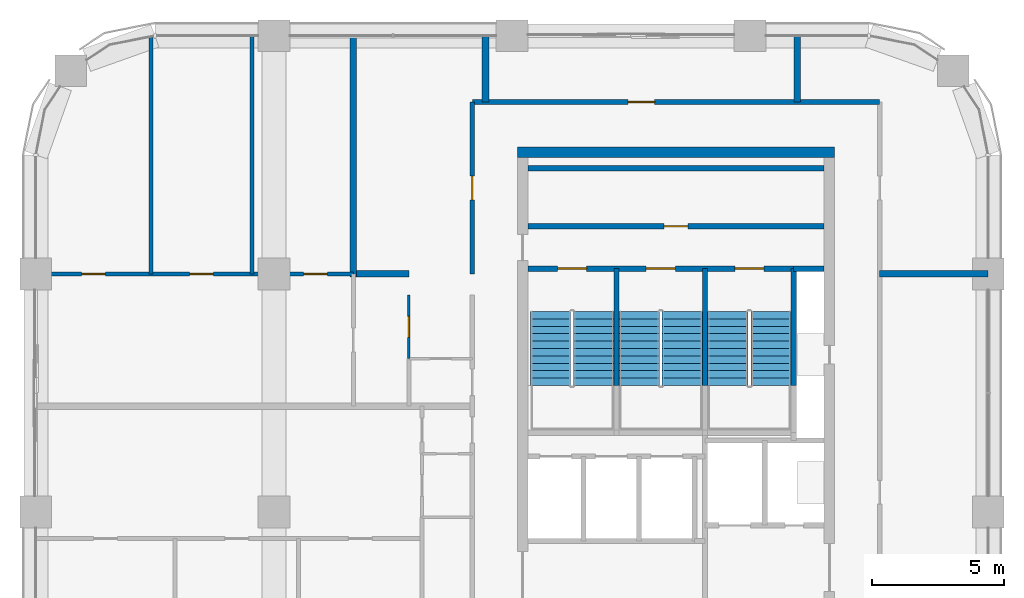
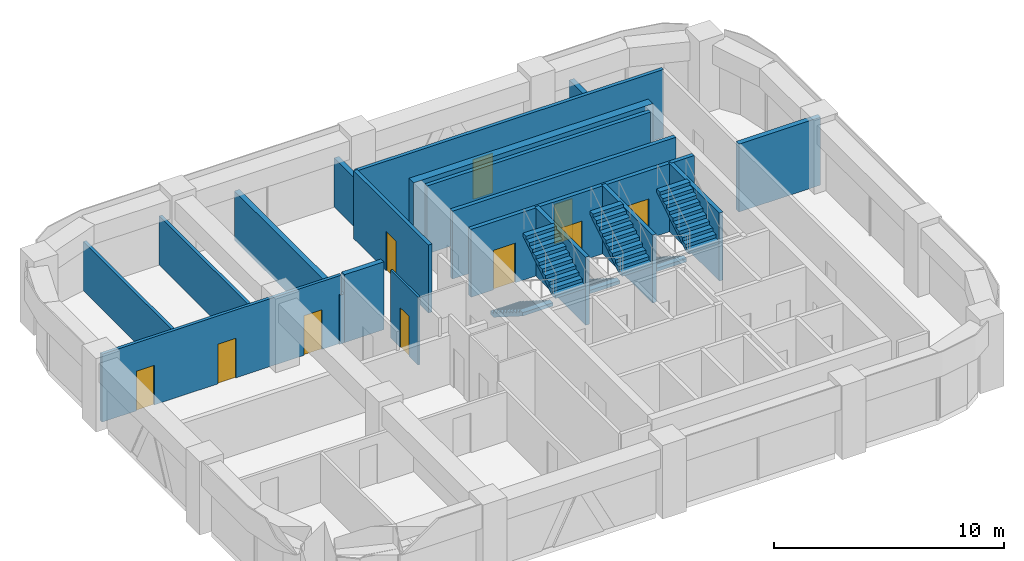
# One storey, part 9 of 10: 19 walls, 10 doors, 6 stair flights, 10 openings, 3 elements without a shape of their own.
"""IFC4 building model written with IfcOpenShell, lengths in metres."""

from ifc_helpers import new_model, si_unit, direction, frame, frame_2d, origin, place, context, subcontext, project, spatial, polyline, rectangle, outline, extrude, material, layer, layer_set, type_object, element, fill, aggregate, save


model = new_model("IFC4")

# Units and contexts
model_context = context("Model", 3, precision=1e-05, world=origin(), true_north=direction((0.0, 1.0)))
body_context = subcontext(model_context, "Body", "Model", "MODEL_VIEW")
ifc_project = project(units=[si_unit("LENGTHUNIT", "METRE"), si_unit("AREAUNIT", "SQUARE_METRE"), si_unit("VOLUMEUNIT", "CUBIC_METRE"), si_unit("PLANEANGLEUNIT", "RADIAN"), si_unit("MASSUNIT", "GRAM", prefix="KILO")], contexts=[model_context])

# Site, building, storey
site_placement = place(None, origin())
site = spatial("IfcSite", under=ifc_project, at=site_placement, CompositionType="ELEMENT")
building_placement = place(site_placement, origin())
building = spatial("IfcBuilding", under=site, at=building_placement, Name="Tessera Arch", CompositionType="ELEMENT")
storey_placement = place(building_placement, frame((0.0, 0.0, 254.0)))
storey = spatial("IfcBuildingStorey", under=building, at=storey_placement, Name="L61", CompositionType="ELEMENT", Elevation=254.0)

# Wall, opening, door
ifc_material_1 = material(Name="Gypsum board on steel stud", Category="steel")
ifc_layer_1 = layer(ifc_material_1, 0.125)
ifc_layer_set_1 = layer_set([ifc_layer_1], Name="Core partition 125 EI 60")
wall_type_1 = type_object("IfcWallType", Name="Core partition 125 EI 60", PredefinedType="PARTITIONING", material=ifc_layer_set_1)
wall_1_placement = place(storey_placement, frame((36.60009765625, 46.800048828125, 0.0), z_axis=(0.0, 0.0, 1.0), x_axis=(1.0, 0.0, 0.0)))
wall_1 = element("IfcWall", 1, at=wall_1_placement, inside=storey, type_object=wall_type_1, Name="L61 C1 partition wall 30", PredefinedType="PARTITIONING", context=body_context, shape_type="SweptSolid", body=[
    extrude(rectangle(XDim=11.199951171875, YDim=0.199951171875, at=frame_2d((5.60009765625, 0.0))), origin(), (0.0, 0.0, 1.0), 3.60009765625),
])
opening_1_placement = place(wall_1_placement, frame((5.14990234375, 0.0, 0.0)))
opening_1 = element("IfcOpeningElement", 2, at=opening_1_placement, cuts=wall_1, Name="Opening L61-C18", PredefinedType="OPENING", context=body_context, shape_type="SweptSolid", body=[
    extrude(rectangle(XDim=0.89990234375, YDim=2.10009765625, at=frame_2d((0.449951171875, 1.050048828125))), frame((0.0, 0.10986328125, 0.0), z_axis=(0.0, -1.0, 0.0), x_axis=(1.0, 0.0, 0.0)), (0.0, 0.0, 1.0), 0.219970703125),
])
ifc_material_2 = material(Name="Steel door leaf", Category="steel")
door_type_1 = type_object("IfcDoorType", Name="Store door FD30S 900 x 2100", OperationType="SINGLE_SWING_LEFT", PredefinedType="DOOR", material=ifc_material_2)
door_1_placement = place(opening_1_placement, origin())
door_1 = element("IfcDoor", 3, at=door_1_placement, inside=storey, type_object=door_type_1, Name="L61 C1 door 18 C18 type D09", OperationType="SINGLE_SWING_RIGHT", OverallHeight=2.10009765625, OverallWidth=0.89990234375, PredefinedType="DOOR", context=body_context, shape_type="SweptSolid", body=[
    extrude(rectangle(XDim=0.89990234375, YDim=2.10009765625, at=frame_2d((0.449951171875, 1.050048828125))), frame((0.0, 0.02490234375, 0.0), z_axis=(0.0, -1.0, 0.0), x_axis=(1.0, 0.0, 0.0)), (0.0, 0.0, 1.0), 0.050048828125),
])
fill(opening_1, door_1)

# Walls
wall_2_placement = place(storey_placement, frame((36.60009765625, 49.0, 0.0), z_axis=(0.0, 0.0, 1.0), x_axis=(1.0, 0.0, 0.0)))
element("IfcWall", 4, at=wall_2_placement, inside=storey, type_object=wall_type_1, Name="L61 C1 partition wall 31", PredefinedType="PARTITIONING", context=body_context, shape_type="SweptSolid", body=[
    extrude(rectangle(XDim=11.199951171875, YDim=0.199951171875, at=frame_2d((5.60009765625, 0.0))), origin(), (0.0, 0.0, 1.0), 3.60009765625),
])
ifc_material_3 = material(Name="Concrete C50/60", Category="concrete")
ifc_layer_2 = layer(ifc_material_3, 0.39990234375)
ifc_layer_set_2 = layer_set([ifc_layer_2], Name="Core shell wall 400 C50-60")
wall_type_2 = type_object("IfcWallType", Name="Core shell wall 400 C50-60", PredefinedType="SHEAR", material=ifc_layer_set_2)
wall_3_placement = place(storey_placement, frame((36.199951171875, 49.60009765625, 0.0), z_axis=(0.0, 0.0, 1.0), x_axis=(1.0, 0.0, 0.0)))
element("IfcWall", 5, at=wall_3_placement, inside=storey, type_object=wall_type_2, Name="L61 C1 core wall N", PredefinedType="SHEAR", context=body_context, shape_type="SweptSolid", body=[
    extrude(rectangle(XDim=12.0, YDim=0.39990234375, at=frame_2d((6.0, 0.0))), origin(), (0.0, 0.0, 1.0), 3.60009765625),
])

# Wall, opening, door
ifc_material_4 = material(Name="Gypsum board on deep steel stud with mineral wool", Category="steel")
ifc_layer_3 = layer(ifc_material_4, 0.175048828125)
ifc_layer_set_3 = layer_set([ifc_layer_3], Name="Corridor wall 175 EI 60")
wall_type_3 = type_object("IfcWallType", Name="Corridor wall 175 EI 60", PredefinedType="PARTITIONING", material=ifc_layer_set_3)
wall_4_placement = place(storey_placement, frame((34.5, 51.5, 0.0), z_axis=(0.0, 0.0, 1.0), x_axis=(1.0, 0.0, 0.0)))
wall_4 = element("IfcWall", 6, at=wall_4_placement, inside=storey, type_object=wall_type_3, Name="L61 partition 3", PredefinedType="PARTITIONING", context=body_context, shape_type="SweptSolid", body=[
    extrude(rectangle(XDim=15.39990234375, YDim=0.175048828125, at=frame_2d((7.699951171875, 0.0))), origin(), (0.0, 0.0, 1.0), 3.60009765625),
])
opening_2_placement = place(wall_4_placement, frame((5.8916015625, 0.0, 0.0)))
opening_2 = element("IfcOpeningElement", 7, at=opening_2_placement, cuts=wall_4, Name="Opening L61-D019", PredefinedType="OPENING", context=body_context, shape_type="SweptSolid", body=[
    extrude(rectangle(XDim=1.0, YDim=2.10009765625, at=frame_2d((0.5, 1.050048828125))), frame((0.0, 0.097412109375, 0.0), z_axis=(0.0, -1.0, 0.0), x_axis=(1.0, 0.0, 0.0)), (0.0, 0.0, 1.0), 0.195068359375),
])
ifc_material_5 = material(Name="Fire-rated door leaf")
door_type_2 = type_object("IfcDoorType", Name="Entrance door FD30S 1000 x 2100", OperationType="SINGLE_SWING_LEFT", PredefinedType="DOOR", material=ifc_material_5)
door_2_placement = place(opening_2_placement, origin())
door_2 = element("IfcDoor", 8, at=door_2_placement, inside=storey, type_object=door_type_2, Name="L61 door D019 type D03", OperationType="SINGLE_SWING_LEFT", OverallHeight=2.10009765625, OverallWidth=1.0, PredefinedType="DOOR", context=body_context, shape_type="SweptSolid", body=[
    extrude(rectangle(XDim=1.0, YDim=2.10009765625, at=frame_2d((0.5, 1.050048828125))), frame((0.0, 0.02490234375, 0.0), z_axis=(0.0, -1.0, 0.0), x_axis=(1.0, 0.0, 0.0)), (0.0, 0.0, 1.0), 0.050048828125),
])
fill(opening_2, door_2)

wall_5_placement = place(storey_placement, frame((34.5, 45.0, 0.0), z_axis=(0.0, 0.0, 1.0), x_axis=(0.0, 1.0, 0.0)))
wall_5 = element("IfcWall", 9, at=wall_5_placement, inside=storey, type_object=wall_type_3, Name="L61 partition 5", PredefinedType="PARTITIONING", context=body_context, shape_type="SweptSolid", body=[
    extrude(rectangle(XDim=6.5, YDim=0.175048828125, at=frame_2d((3.25, 0.0))), origin(), (0.0, 0.0, 1.0), 3.60009765625),
])
opening_3_placement = place(wall_5_placement, frame((2.800048828125, 0.0, 0.0)))
opening_3 = element("IfcOpeningElement", 10, at=opening_3_placement, cuts=wall_5, Name="Opening L61-D017", PredefinedType="OPENING", context=body_context, shape_type="SweptSolid", body=[
    extrude(rectangle(XDim=0.89990234375, YDim=2.10009765625, at=frame_2d((0.449951171875, 1.050048828125))), frame((0.0, 0.097412109375, 0.0), z_axis=(0.0, -1.0, 0.0), x_axis=(1.0, 0.0, 0.0)), (0.0, 0.0, 1.0), 0.195068359375),
])
ifc_material_6 = material(Name="Timber door leaf", Category="wood")
door_type_3 = type_object("IfcDoorType", Name="Room door 900 x 2100", OperationType="SINGLE_SWING_LEFT", PredefinedType="DOOR", material=ifc_material_6)
door_3_placement = place(opening_3_placement, origin())
door_3 = element("IfcDoor", 11, at=door_3_placement, inside=storey, type_object=door_type_3, Name="L61 door D017 type D01", OperationType="SINGLE_SWING_LEFT", OverallHeight=2.10009765625, OverallWidth=0.89990234375, PredefinedType="DOOR", context=body_context, shape_type="SweptSolid", body=[
    extrude(rectangle(XDim=0.89990234375, YDim=2.10009765625, at=frame_2d((0.449951171875, 1.050048828125))), frame((0.0, 0.02490234375, 0.0), z_axis=(0.0, -1.0, 0.0), x_axis=(1.0, 0.0, 0.0)), (0.0, 0.0, 1.0), 0.050048828125),
])
fill(opening_3, door_3)

# Wall, openings, doors
ifc_material_7 = material(Name="Gypsum board on steel stud", Category="steel")
ifc_layer_4 = layer(ifc_material_7, 0.14990234375)
ifc_layer_set_4 = layer_set([ifc_layer_4], Name="Partition 150")
wall_type_4 = type_object("IfcWallType", Name="Partition 150", PredefinedType="PARTITIONING", material=ifc_layer_set_4)
wall_6_placement = place(storey_placement, frame((18.0, 45.0, 0.0), z_axis=(0.0, 0.0, 1.0), x_axis=(1.0, 0.0, 0.0)))
wall_6 = element("IfcWall", 12, at=wall_6_placement, inside=storey, type_object=wall_type_4, Name="L61 partition 8", PredefinedType="PARTITIONING", context=body_context, shape_type="SweptSolid", body=[
    extrude(rectangle(XDim=12.0, YDim=0.14990234375, at=frame_2d((6.0, 0.0))), origin(), (0.0, 0.0, 1.0), 3.60009765625),
])
opening_4_placement = place(wall_6_placement, frame((10.122802734375, 0.0, 0.0)))
opening_4 = element("IfcOpeningElement", 13, at=opening_4_placement, cuts=wall_6, Name="Opening L61-D014", PredefinedType="OPENING", context=body_context, shape_type="SweptSolid", body=[
    extrude(rectangle(XDim=0.89990234375, YDim=2.10009765625, at=frame_2d((0.449951171875, 1.050048828125))), frame((0.0, 0.0849609375, 0.0), z_axis=(0.0, -1.0, 0.0), x_axis=(1.0, 0.0, 0.0)), (0.0, 0.0, 1.0), 0.169921875),
])
opening_5_placement = place(wall_6_placement, frame((5.813720703125, 0.0, 0.0)))
opening_5 = element("IfcOpeningElement", 14, at=opening_5_placement, cuts=wall_6, Name="Opening L61-D015", PredefinedType="OPENING", context=body_context, shape_type="SweptSolid", body=[
    extrude(rectangle(XDim=0.89990234375, YDim=2.10009765625, at=frame_2d((0.449951171875, 1.050048828125))), frame((0.0, 0.0849609375, 0.0), z_axis=(0.0, -1.0, 0.0), x_axis=(1.0, 0.0, 0.0)), (0.0, 0.0, 1.0), 0.169921875),
])
opening_6_placement = place(wall_6_placement, frame((1.725830078125, 0.0, 0.0)))
opening_6 = element("IfcOpeningElement", 15, at=opening_6_placement, cuts=wall_6, Name="Opening L61-D016", PredefinedType="OPENING", context=body_context, shape_type="SweptSolid", body=[
    extrude(rectangle(XDim=0.89990234375, YDim=2.10009765625, at=frame_2d((0.449951171875, 1.050048828125))), frame((0.0, 0.0849609375, 0.0), z_axis=(0.0, -1.0, 0.0), x_axis=(1.0, 0.0, 0.0)), (0.0, 0.0, 1.0), 0.169921875),
])
door_4_placement = place(opening_4_placement, origin())
door_4 = element("IfcDoor", 16, at=door_4_placement, inside=storey, type_object=door_type_3, Name="L61 door D014 type D01", OperationType="SINGLE_SWING_RIGHT", OverallHeight=2.10009765625, OverallWidth=0.89990234375, PredefinedType="DOOR", context=body_context, shape_type="SweptSolid", body=[
    extrude(rectangle(XDim=0.89990234375, YDim=2.10009765625, at=frame_2d((0.449951171875, 1.050048828125))), frame((0.0, 0.02490234375, 0.0), z_axis=(0.0, -1.0, 0.0), x_axis=(1.0, 0.0, 0.0)), (0.0, 0.0, 1.0), 0.050048828125),
])
fill(opening_4, door_4)
door_5_placement = place(opening_5_placement, origin())
door_5 = element("IfcDoor", 17, at=door_5_placement, inside=storey, type_object=door_type_3, Name="L61 door D015 type D01", OperationType="SINGLE_SWING_RIGHT", OverallHeight=2.10009765625, OverallWidth=0.89990234375, PredefinedType="DOOR", context=body_context, shape_type="SweptSolid", body=[
    extrude(rectangle(XDim=0.89990234375, YDim=2.10009765625, at=frame_2d((0.449951171875, 1.050048828125))), frame((0.0, 0.02490234375, 0.0), z_axis=(0.0, -1.0, 0.0), x_axis=(1.0, 0.0, 0.0)), (0.0, 0.0, 1.0), 0.050048828125),
])
fill(opening_5, door_5)
door_6_placement = place(opening_6_placement, origin())
door_6 = element("IfcDoor", 18, at=door_6_placement, inside=storey, type_object=door_type_3, Name="L61 door D016 type D01", OperationType="SINGLE_SWING_RIGHT", OverallHeight=2.10009765625, OverallWidth=0.89990234375, PredefinedType="DOOR", context=body_context, shape_type="SweptSolid", body=[
    extrude(rectangle(XDim=0.89990234375, YDim=2.10009765625, at=frame_2d((0.449951171875, 1.050048828125))), frame((0.0, 0.02490234375, 0.0), z_axis=(0.0, -1.0, 0.0), x_axis=(1.0, 0.0, 0.0)), (0.0, 0.0, 1.0), 0.050048828125),
])
fill(opening_6, door_6)

# Walls
wall_7_placement = place(storey_placement, frame((22.35205078125, 45.0, 0.0), z_axis=(0.0, 0.0, 1.0), x_axis=(0.0, 1.0, 0.0)))
element("IfcWall", 19, at=wall_7_placement, inside=storey, type_object=wall_type_4, Name="L61 partition 9", PredefinedType="PARTITIONING", context=body_context, shape_type="SweptSolid", body=[
    extrude(rectangle(XDim=8.970458984375, YDim=0.14990234375, at=frame_2d((4.4853515625, 0.0))), origin(), (0.0, 0.0, 1.0), 2.60009765625),
])
wall_8_placement = place(storey_placement, frame((26.176025390625, 45.0, 0.0), z_axis=(0.0, 0.0, 1.0), x_axis=(0.0, 1.0, 0.0)))
element("IfcWall", 20, at=wall_8_placement, inside=storey, type_object=wall_type_4, Name="L61 partition 11", PredefinedType="PARTITIONING", context=body_context, shape_type="SweptSolid", body=[
    extrude(rectangle(XDim=9.0, YDim=0.14990234375, at=frame_2d((4.5, 0.0))), origin(), (0.0, 0.0, 1.0), 2.60009765625),
])
ifc_material_8 = material(Name="Double gypsum board on twin steel stud with acoustic mineral wool", Category="steel")
ifc_layer_5 = layer(ifc_material_8, 0.25)
ifc_layer_set_5 = layer_set([ifc_layer_5], Name="Party wall 250 EI 60")
wall_type_5 = type_object("IfcWallType", Name="Party wall 250 EI 60", PredefinedType="PARTITIONING", material=ifc_layer_set_5)
wall_9_placement = place(storey_placement, frame((30.125, 45.0, 0.0), z_axis=(0.0, 0.0, 1.0), x_axis=(1.0, 0.0, 0.0)))
element("IfcWall", 21, at=wall_9_placement, inside=storey, type_object=wall_type_5, Name="L61 partition 18", PredefinedType="PARTITIONING", context=body_context, shape_type="SweptSolid", body=[
    extrude(rectangle(XDim=1.97509765625, YDim=0.25, at=frame_2d((0.987548828125, 0.0))), origin(), (0.0, 0.0, 1.0), 3.60009765625),
])
wall_10_placement = place(storey_placement, frame((49.89990234375, 45.0, 0.0), z_axis=(0.0, 0.0, 1.0), x_axis=(1.0, 0.0, 0.0)))
element("IfcWall", 22, at=wall_10_placement, inside=storey, type_object=wall_type_5, Name="L61 partition 19", PredefinedType="PARTITIONING", context=body_context, shape_type="SweptSolid", body=[
    extrude(rectangle(XDim=4.10009765625, YDim=0.25, at=frame_2d((2.050048828125, 0.0))), origin(), (0.0, 0.0, 1.0), 3.60009765625),
])
wall_11_placement = place(storey_placement, frame((30.0, 44.875, 0.0), z_axis=(0.0, 0.0, 1.0), x_axis=(0.0, 1.0, 0.0)))
element("IfcWall", 23, at=wall_11_placement, inside=storey, type_object=wall_type_5, Name="L61 partition 20", PredefinedType="PARTITIONING", context=body_context, shape_type="SweptSolid", body=[
    extrude(rectangle(XDim=9.125, YDim=0.25, at=frame_2d((4.5625, 0.0))), origin(), (0.0, 0.0, 1.0), 2.60009765625),
])
for number, where, z_axis, x_axis, name in (
    (24, (35.0, 51.5, 0.0), (0.0, 0.0, 1.0), (0.0, 1.0, 0.0), "L61 partition 22"),
    (25, (46.782958984375, 51.5, 0.0), (0.0, 0.0, 1.0), (0.0, 1.0, 0.0), "L61 partition 23"),
):
    element("IfcWall", number, at=place(storey_placement, frame(where, z_axis=z_axis, x_axis=x_axis)), inside=storey, type_object=wall_type_5, Name=name, PredefinedType="PARTITIONING", context=body_context, shape_type="SweptSolid", body=[
        extrude(rectangle(XDim=2.5, YDim=0.25, at=frame_2d((1.25, 0.0))), origin(), (0.0, 0.0, 1.0), 2.60009765625),
    ])
ifc_material_9 = material(Name="Concrete C40/50", Category="concrete")
ifc_layer_6 = layer(ifc_material_9, 0.199951171875)
ifc_layer_set_6 = layer_set([ifc_layer_6], Name="Shaft wall 200 EI 120")
wall_type_6 = type_object("IfcWallType", Name="Shaft wall 200 EI 120", PredefinedType="SOLIDWALL", material=ifc_layer_set_6)
wall_12_placement = place(storey_placement, frame((46.64990234375, 45.199951171875, 0.0), z_axis=(0.0, 0.0, 1.0), x_axis=(1.0, 0.0, 0.0)))
element("IfcWall", 26, at=wall_12_placement, inside=storey, type_object=wall_type_6, Name="L61 C1 shaft wall 28", PredefinedType="SOLIDWALL", context=body_context, shape_type="SweptSolid", body=[
    extrude(rectangle(XDim=1.150146484375, YDim=0.199951171875, at=frame_2d((0.5751953125, 0.0))), origin(), (0.0, 0.0, 1.0), 3.60009765625),
])
ifc_material_10 = material(Name="Concrete C40/50", Category="concrete")
ifc_layer_7 = layer(ifc_material_10, 0.199951171875)
ifc_layer_set_7 = layer_set([ifc_layer_7], Name="Stair well wall 200 REI 180")
wall_type_7 = type_object("IfcWallType", Name="Stair well wall 200 REI 180", PredefinedType="SOLIDWALL", material=ifc_layer_set_7)
for number, where, z_axis, x_axis, name in (
    (27, (39.949951171875, 40.780029296875, 0.0), (0.0, 0.0, 1.0), (0.0, 1.0, 0.0), "L61 C1 shaft wall 4"),
    (28, (43.300048828125, 40.780029296875, 0.0), (0.0, 0.0, 1.0), (0.0, 1.0, 0.0), "L61 C1 shaft wall 11"),
    (29, (46.64990234375, 40.780029296875, 0.0), (0.0, 0.0, 1.0), (0.0, 1.0, 0.0), "L61 C1 shaft wall 16"),
):
    element("IfcWall", number, at=place(storey_placement, frame(where, z_axis=z_axis, x_axis=x_axis)), inside=storey, type_object=wall_type_7, Name=name, PredefinedType="SOLIDWALL", context=body_context, shape_type="SweptSolid", body=[
        extrude(rectangle(XDim=4.419921875, YDim=0.199951171875, at=frame_2d((2.2099609375, 0.0))), origin(), (0.0, 0.0, 1.0), 3.60009765625),
    ])

# Wall, openings, doors
wall_13_placement = place(storey_placement, frame((36.60009765625, 45.199951171875, 0.0), z_axis=(0.0, 0.0, 1.0), x_axis=(1.0, 0.0, 0.0)))
wall_13 = element("IfcWall", 30, at=wall_13_placement, inside=storey, type_object=wall_type_7, Name="L61 C1 shaft wall 29", PredefinedType="SOLIDWALL", context=body_context, shape_type="SweptSolid", body=[
    extrude(rectangle(XDim=10.0498046875, YDim=0.199951171875, at=frame_2d((5.02490234375, 0.0))), origin(), (0.0, 0.0, 1.0), 3.60009765625),
])
opening_7_placement = place(wall_13_placement, frame((1.125, 0.0, 0.0)))
opening_7 = element("IfcOpeningElement", 31, at=opening_7_placement, cuts=wall_13, Name="Opening L61-C11", PredefinedType="OPENING", context=body_context, shape_type="SweptSolid", body=[
    extrude(rectangle(XDim=1.10009765625, YDim=2.10009765625, at=frame_2d((0.550048828125, 1.050048828125))), frame((0.0, 0.10986328125, 0.0), z_axis=(0.0, -1.0, 0.0), x_axis=(1.0, 0.0, 0.0)), (0.0, 0.0, 1.0), 0.219970703125),
])
opening_8_placement = place(wall_13_placement, frame((4.47509765625, 0.0, 0.0)))
opening_8 = element("IfcOpeningElement", 32, at=opening_8_placement, cuts=wall_13, Name="Opening L61-C12", PredefinedType="OPENING", context=body_context, shape_type="SweptSolid", body=[
    extrude(rectangle(XDim=1.10009765625, YDim=2.10009765625, at=frame_2d((0.550048828125, 1.050048828125))), frame((0.0, 0.10986328125, 0.0), z_axis=(0.0, -1.0, 0.0), x_axis=(1.0, 0.0, 0.0)), (0.0, 0.0, 1.0), 0.219970703125),
])
opening_9_placement = place(wall_13_placement, frame((7.824951171875, 0.0, 0.0)))
opening_9 = element("IfcOpeningElement", 33, at=opening_9_placement, cuts=wall_13, Name="Opening L61-C13", PredefinedType="OPENING", context=body_context, shape_type="SweptSolid", body=[
    extrude(rectangle(XDim=1.10009765625, YDim=2.10009765625, at=frame_2d((0.550048828125, 1.050048828125))), frame((0.0, 0.10986328125, 0.0), z_axis=(0.0, -1.0, 0.0), x_axis=(1.0, 0.0, 0.0)), (0.0, 0.0, 1.0), 0.219970703125),
])
ifc_material_11 = material(Name="Steel door leaf", Category="steel")
door_type_4 = type_object("IfcDoorType", Name="Stair door FD60 1100 x 2100", OperationType="SINGLE_SWING_LEFT", PredefinedType="DOOR", material=ifc_material_11)
door_7_placement = place(opening_7_placement, origin())
door_7 = element("IfcDoor", 34, at=door_7_placement, inside=storey, type_object=door_type_4, Name="L61 C1 door 11 C11 type D05", OperationType="SINGLE_SWING_LEFT", OverallHeight=2.10009765625, OverallWidth=1.10009765625, PredefinedType="DOOR", context=body_context, shape_type="SweptSolid", body=[
    extrude(rectangle(XDim=1.10009765625, YDim=2.10009765625, at=frame_2d((0.550048828125, 1.050048828125))), frame((0.0, 0.02490234375, 0.0), z_axis=(0.0, -1.0, 0.0), x_axis=(1.0, 0.0, 0.0)), (0.0, 0.0, 1.0), 0.050048828125),
])
fill(opening_7, door_7)
door_8_placement = place(opening_8_placement, origin())
door_8 = element("IfcDoor", 35, at=door_8_placement, inside=storey, type_object=door_type_4, Name="L61 C1 door 12 C12 type D05", OperationType="SINGLE_SWING_RIGHT", OverallHeight=2.10009765625, OverallWidth=1.10009765625, PredefinedType="DOOR", context=body_context, shape_type="SweptSolid", body=[
    extrude(rectangle(XDim=1.10009765625, YDim=2.10009765625, at=frame_2d((0.550048828125, 1.050048828125))), frame((0.0, 0.02490234375, 0.0), z_axis=(0.0, -1.0, 0.0), x_axis=(1.0, 0.0, 0.0)), (0.0, 0.0, 1.0), 0.050048828125),
])
fill(opening_8, door_8)
door_9_placement = place(opening_9_placement, origin())
door_9 = element("IfcDoor", 36, at=door_9_placement, inside=storey, type_object=door_type_4, Name="L61 C1 door 13 C13 type D05", OperationType="SINGLE_SWING_RIGHT", OverallHeight=2.10009765625, OverallWidth=1.10009765625, PredefinedType="DOOR", context=body_context, shape_type="SweptSolid", body=[
    extrude(rectangle(XDim=1.10009765625, YDim=2.10009765625, at=frame_2d((0.550048828125, 1.050048828125))), frame((0.0, 0.02490234375, 0.0), z_axis=(0.0, -1.0, 0.0), x_axis=(1.0, 0.0, 0.0)), (0.0, 0.0, 1.0), 0.050048828125),
])
fill(opening_9, door_9)

# Wall, opening, door
ifc_material_12 = material(Name="Moisture-resistant board on pre-plumbed steel stud", Category="steel")
ifc_layer_8 = layer(ifc_material_12, 0.10009765625)
ifc_layer_set_8 = layer_set([ifc_layer_8], Name="Wet wall 100")
wall_type_8 = type_object("IfcWallType", Name="Wet wall 100", PredefinedType="PARTITIONING", material=ifc_layer_set_8)
wall_14_placement = place(storey_placement, frame((32.10009765625, 41.800048828125, 0.0), z_axis=(0.0, 0.0, 1.0), x_axis=(0.0, 1.0, 0.0)))
wall_14 = element("IfcWall", 37, at=wall_14_placement, inside=storey, type_object=wall_type_8, Name="L61 partition 28", PredefinedType="PARTITIONING", context=body_context, shape_type="SweptSolid", body=[
    extrude(rectangle(XDim=2.39990234375, YDim=0.10009765625, at=frame_2d((1.199951171875, 0.0))), origin(), (0.0, 0.0, 1.0), 3.60009765625),
])
opening_10_placement = place(wall_14_placement, frame((0.800048828125, 0.0, 0.0)))
opening_10 = element("IfcOpeningElement", 38, at=opening_10_placement, cuts=wall_14, Name="Opening L61-D012", PredefinedType="OPENING", context=body_context, shape_type="SweptSolid", body=[
    extrude(rectangle(XDim=0.800048828125, YDim=2.10009765625, at=frame_2d((0.39990234375, 1.050048828125))), frame((0.0, 0.06005859375, 0.0), z_axis=(0.0, -1.0, 0.0), x_axis=(1.0, 0.0, 0.0)), (0.0, 0.0, 1.0), 0.1201171875),
])
ifc_material_13 = material(Name="Timber door leaf", Category="wood")
door_type_5 = type_object("IfcDoorType", Name="En-suite door 800 x 2100", OperationType="SINGLE_SWING_LEFT", PredefinedType="DOOR", material=ifc_material_13)
door_10_placement = place(opening_10_placement, origin())
door_10 = element("IfcDoor", 39, at=door_10_placement, inside=storey, type_object=door_type_5, Name="L61 door D012 type D02", OperationType="SINGLE_SWING_RIGHT", OverallHeight=2.10009765625, OverallWidth=0.800048828125, PredefinedType="DOOR", context=body_context, shape_type="SweptSolid", body=[
    extrude(rectangle(XDim=0.800048828125, YDim=2.10009765625, at=frame_2d((0.39990234375, 1.050048828125))), frame((0.0, 0.02490234375, 0.0), z_axis=(0.0, -1.0, 0.0), x_axis=(1.0, 0.0, 0.0)), (0.0, 0.0, 1.0), 0.050048828125),
])
fill(opening_10, door_10)

# Stair, stair flights
ifc_material_14 = material(Name="Concrete C40/50", Category="concrete")
stair_type = type_object("IfcStairType", Name="Dogleg stair 1520", PredefinedType="HALF_TURN_STAIR", material=ifc_material_14)
stair_1_placement = place(storey_placement, origin())
stair_1 = element("IfcStair", 40, at=stair_1_placement, inside=storey, type_object=stair_type, Name="L61 S1a", PredefinedType="HALF_TURN_STAIR")
ifc_material_15 = material(Name="Concrete C40/50", Category="concrete")
stair_flight_type = type_object("IfcStairFlightType", Name="Stair flight 1520", PredefinedType="STRAIGHT", material=ifc_material_15)
stair_flight_1_placement = place(storey_placement, frame((37.4599609375, 43.580078125, 0.0), z_axis=(0.0, 0.0, 1.0), x_axis=(0.0, -1.0, 0.0)))
stair_flight_1 = element("IfcStairFlight", 41, at=stair_flight_1_placement, type_object=stair_flight_type, Name="S1a flight 1", NumberOfRisers=11, NumberOfTreads=10, PredefinedType="STRAIGHT", RiserHeight=0.177272727, TreadLength=0.28, context=body_context, shape_type="SweptSolid", body=[
    extrude(outline(polyline([(0.0, 0.0), (0.0, 0.17724609375), (0.280029296875, 0.17724609375), (0.280029296875, 0.3544921875), (0.56005859375, 0.3544921875), (0.56005859375, 0.53173828125), (0.840087890625, 0.53173828125), (0.840087890625, 0.708984375), (1.1201171875, 0.708984375), (1.1201171875, 0.886474609375), (1.39990234375, 0.886474609375), (1.39990234375, 1.063720703125), (1.679931640625, 1.063720703125), (1.679931640625, 1.240966796875), (1.9599609375, 1.240966796875), (1.9599609375, 1.418212890625), (2.239990234375, 1.418212890625), (2.239990234375, 1.595458984375), (2.52001953125, 1.595458984375), (2.52001953125, 1.772705078125), (2.800048828125, 1.772705078125), (2.800048828125, 1.949951171875), (2.800048828125, 1.59521484375), (0.2802734375, 0.0), (0.0, 0.0)])), frame((0.0, 0.760009765625, 0.0), z_axis=(0.0, -1.0, 0.0), x_axis=(1.0, 0.0, 0.0)), (0.0, 0.0, 1.0), 1.52001953125),
])
stair_flight_2_placement = place(storey_placement, frame((39.090087890625, 40.780029296875, 1.949951171875), z_axis=(0.0, 0.0, 1.0), x_axis=(0.0, 1.0, 0.0)))
stair_flight_2 = element("IfcStairFlight", 42, at=stair_flight_2_placement, type_object=stair_flight_type, Name="S1a flight 2", NumberOfRisers=11, NumberOfTreads=10, PredefinedType="STRAIGHT", RiserHeight=0.177272727, TreadLength=0.28, context=body_context, shape_type="SweptSolid", body=[
    extrude(outline(polyline([(0.0, 0.0), (0.0, 0.17724609375), (0.280029296875, 0.17724609375), (0.280029296875, 0.3544921875), (0.56005859375, 0.3544921875), (0.56005859375, 0.53173828125), (0.840087890625, 0.53173828125), (0.840087890625, 0.708984375), (1.1201171875, 0.708984375), (1.1201171875, 0.886474609375), (1.39990234375, 0.886474609375), (1.39990234375, 1.063720703125), (1.679931640625, 1.063720703125), (1.679931640625, 1.240966796875), (1.9599609375, 1.240966796875), (1.9599609375, 1.418212890625), (2.239990234375, 1.418212890625), (2.239990234375, 1.595458984375), (2.52001953125, 1.595458984375), (2.52001953125, 1.772705078125), (2.800048828125, 1.772705078125), (2.800048828125, 1.949951171875), (2.800048828125, 1.59521484375), (0.2802734375, 0.0), (0.0, 0.0)])), frame((0.0, 0.760009765625, 0.0), z_axis=(0.0, -1.0, 0.0), x_axis=(1.0, 0.0, 0.0)), (0.0, 0.0, 1.0), 1.52001953125),
])
aggregate(stair_1, [stair_flight_1, stair_flight_2])

stair_2_placement = place(storey_placement, origin())
stair_2 = element("IfcStair", 43, at=stair_2_placement, inside=storey, type_object=stair_type, Name="L61 S1b", PredefinedType="HALF_TURN_STAIR")
stair_flight_3_placement = place(storey_placement, frame((40.81005859375, 43.580078125, 0.0), z_axis=(0.0, 0.0, 1.0), x_axis=(0.0, -1.0, 0.0)))
stair_flight_3 = element("IfcStairFlight", 44, at=stair_flight_3_placement, type_object=stair_flight_type, Name="S1b flight 1", NumberOfRisers=11, NumberOfTreads=10, PredefinedType="STRAIGHT", RiserHeight=0.177272727, TreadLength=0.28, context=body_context, shape_type="SweptSolid", body=[
    extrude(outline(polyline([(0.0, 0.0), (0.0, 0.17724609375), (0.280029296875, 0.17724609375), (0.280029296875, 0.3544921875), (0.56005859375, 0.3544921875), (0.56005859375, 0.53173828125), (0.840087890625, 0.53173828125), (0.840087890625, 0.708984375), (1.1201171875, 0.708984375), (1.1201171875, 0.886474609375), (1.39990234375, 0.886474609375), (1.39990234375, 1.063720703125), (1.679931640625, 1.063720703125), (1.679931640625, 1.240966796875), (1.9599609375, 1.240966796875), (1.9599609375, 1.418212890625), (2.239990234375, 1.418212890625), (2.239990234375, 1.595458984375), (2.52001953125, 1.595458984375), (2.52001953125, 1.772705078125), (2.800048828125, 1.772705078125), (2.800048828125, 1.949951171875), (2.800048828125, 1.59521484375), (0.2802734375, 0.0), (0.0, 0.0)])), frame((0.0, 0.760009765625, 0.0), z_axis=(0.0, -1.0, 0.0), x_axis=(1.0, 0.0, 0.0)), (0.0, 0.0, 1.0), 1.52001953125),
])
stair_flight_4_placement = place(storey_placement, frame((42.43994140625, 40.780029296875, 1.949951171875), z_axis=(0.0, 0.0, 1.0), x_axis=(0.0, 1.0, 0.0)))
stair_flight_4 = element("IfcStairFlight", 45, at=stair_flight_4_placement, type_object=stair_flight_type, Name="S1b flight 2", NumberOfRisers=11, NumberOfTreads=10, PredefinedType="STRAIGHT", RiserHeight=0.177272727, TreadLength=0.28, context=body_context, shape_type="SweptSolid", body=[
    extrude(outline(polyline([(0.0, 0.0), (0.0, 0.17724609375), (0.280029296875, 0.17724609375), (0.280029296875, 0.3544921875), (0.56005859375, 0.3544921875), (0.56005859375, 0.53173828125), (0.840087890625, 0.53173828125), (0.840087890625, 0.708984375), (1.1201171875, 0.708984375), (1.1201171875, 0.886474609375), (1.39990234375, 0.886474609375), (1.39990234375, 1.063720703125), (1.679931640625, 1.063720703125), (1.679931640625, 1.240966796875), (1.9599609375, 1.240966796875), (1.9599609375, 1.418212890625), (2.239990234375, 1.418212890625), (2.239990234375, 1.595458984375), (2.52001953125, 1.595458984375), (2.52001953125, 1.772705078125), (2.800048828125, 1.772705078125), (2.800048828125, 1.949951171875), (2.800048828125, 1.59521484375), (0.2802734375, 0.0), (0.0, 0.0)])), frame((0.0, 0.760009765625, 0.0), z_axis=(0.0, -1.0, 0.0), x_axis=(1.0, 0.0, 0.0)), (0.0, 0.0, 1.0), 1.52001953125),
])
aggregate(stair_2, [stair_flight_3, stair_flight_4])

stair_3_placement = place(storey_placement, origin())
stair_3 = element("IfcStair", 46, at=stair_3_placement, inside=storey, type_object=stair_type, Name="L61 S1c", PredefinedType="HALF_TURN_STAIR")
stair_flight_5_placement = place(storey_placement, frame((44.159912109375, 43.580078125, 0.0), z_axis=(0.0, 0.0, 1.0), x_axis=(0.0, -1.0, 0.0)))
stair_flight_5 = element("IfcStairFlight", 47, at=stair_flight_5_placement, type_object=stair_flight_type, Name="S1c flight 1", NumberOfRisers=11, NumberOfTreads=10, PredefinedType="STRAIGHT", RiserHeight=0.177272727, TreadLength=0.28, context=body_context, shape_type="SweptSolid", body=[
    extrude(outline(polyline([(0.0, 0.0), (0.0, 0.17724609375), (0.280029296875, 0.17724609375), (0.280029296875, 0.3544921875), (0.56005859375, 0.3544921875), (0.56005859375, 0.53173828125), (0.840087890625, 0.53173828125), (0.840087890625, 0.708984375), (1.1201171875, 0.708984375), (1.1201171875, 0.886474609375), (1.39990234375, 0.886474609375), (1.39990234375, 1.063720703125), (1.679931640625, 1.063720703125), (1.679931640625, 1.240966796875), (1.9599609375, 1.240966796875), (1.9599609375, 1.418212890625), (2.239990234375, 1.418212890625), (2.239990234375, 1.595458984375), (2.52001953125, 1.595458984375), (2.52001953125, 1.772705078125), (2.800048828125, 1.772705078125), (2.800048828125, 1.949951171875), (2.800048828125, 1.59521484375), (0.2802734375, 0.0), (0.0, 0.0)])), frame((0.0, 0.760009765625, 0.0), z_axis=(0.0, -1.0, 0.0), x_axis=(1.0, 0.0, 0.0)), (0.0, 0.0, 1.0), 1.52001953125),
])
stair_flight_6_placement = place(storey_placement, frame((45.7900390625, 40.780029296875, 1.949951171875), z_axis=(0.0, 0.0, 1.0), x_axis=(0.0, 1.0, 0.0)))
stair_flight_6 = element("IfcStairFlight", 48, at=stair_flight_6_placement, type_object=stair_flight_type, Name="S1c flight 2", NumberOfRisers=11, NumberOfTreads=10, PredefinedType="STRAIGHT", RiserHeight=0.177272727, TreadLength=0.28, context=body_context, shape_type="SweptSolid", body=[
    extrude(outline(polyline([(0.0, 0.0), (0.0, 0.17724609375), (0.280029296875, 0.17724609375), (0.280029296875, 0.3544921875), (0.56005859375, 0.3544921875), (0.56005859375, 0.53173828125), (0.840087890625, 0.53173828125), (0.840087890625, 0.708984375), (1.1201171875, 0.708984375), (1.1201171875, 0.886474609375), (1.39990234375, 0.886474609375), (1.39990234375, 1.063720703125), (1.679931640625, 1.063720703125), (1.679931640625, 1.240966796875), (1.9599609375, 1.240966796875), (1.9599609375, 1.418212890625), (2.239990234375, 1.418212890625), (2.239990234375, 1.595458984375), (2.52001953125, 1.595458984375), (2.52001953125, 1.772705078125), (2.800048828125, 1.772705078125), (2.800048828125, 1.949951171875), (2.800048828125, 1.59521484375), (0.2802734375, 0.0), (0.0, 0.0)])), frame((0.0, 0.760009765625, 0.0), z_axis=(0.0, -1.0, 0.0), x_axis=(1.0, 0.0, 0.0)), (0.0, 0.0, 1.0), 1.52001953125),
])
aggregate(stair_3, [stair_flight_5, stair_flight_6])

save(model, "model.ifc")
